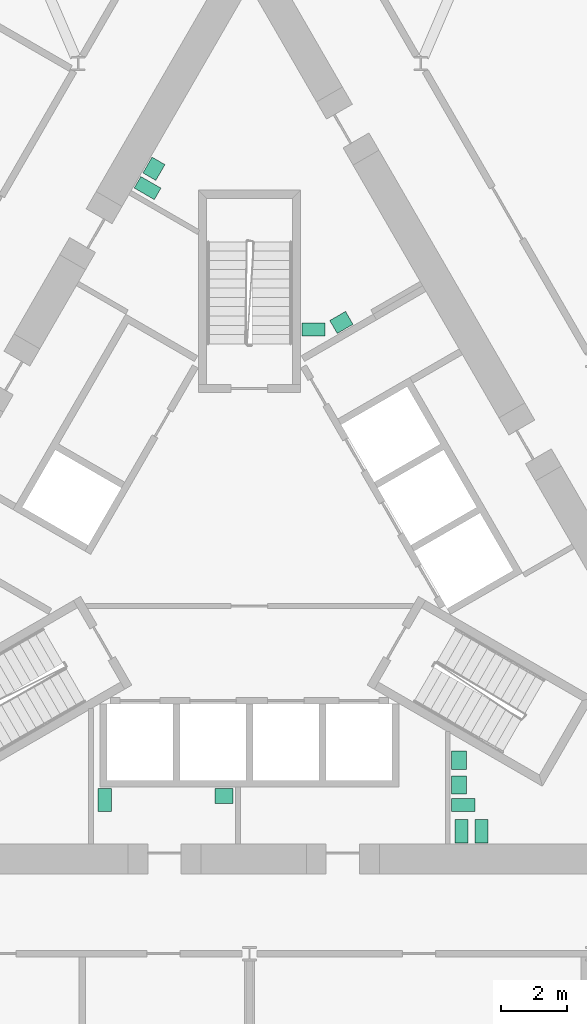
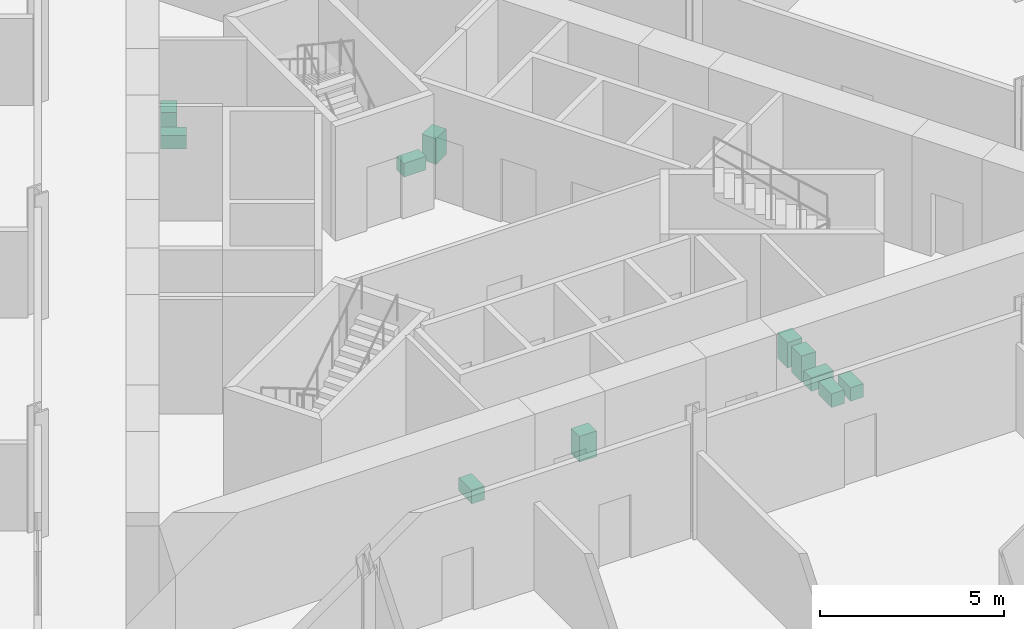
# One storey, part 20 of 21: 11 sanitary terminals.
"""IFC4 building model written with IfcOpenShell, lengths in metres."""

from ifc_helpers import new_model, si_unit, direction, frame, origin, origin_2d, place, context, subcontext, project, spatial, rectangle, extrude, material, type_object, element, save


model = new_model("IFC4")

# Units and contexts
model_context = context("Model", 3, precision=1e-05, world=origin(), true_north=direction((0.0, 1.0)))
body_context = subcontext(model_context, "Body", "Model", "MODEL_VIEW")
ifc_project = project(units=[si_unit("LENGTHUNIT", "METRE"), si_unit("AREAUNIT", "SQUARE_METRE"), si_unit("VOLUMEUNIT", "CUBIC_METRE"), si_unit("PLANEANGLEUNIT", "RADIAN"), si_unit("MASSUNIT", "GRAM", prefix="KILO")], contexts=[model_context])

# Site, building, storey
site_placement = place(None, origin())
site = spatial("IfcSite", under=ifc_project, at=site_placement, CompositionType="ELEMENT")
building_placement = place(site_placement, origin())
building = spatial("IfcBuilding", under=site, at=building_placement, Name="Cormorant Prow Tower", CompositionType="ELEMENT")
storey_placement = place(building_placement, frame((0.0, 0.0, 129.0)))
storey = spatial("IfcBuildingStorey", under=building, at=storey_placement, Name="L27", CompositionType="ELEMENT", Elevation=129.0)

# Sanitary terminals
ifc_material_1 = material(Name="Vitreous china")
sanitary_terminal_type_1 = type_object("IfcSanitaryTerminalType", Name="Wash basin 550x450", PredefinedType="WASHHANDBASIN", material=ifc_material_1)
for number, where, z_axis, x_axis, name in (
    (1, (6.31640625, -6.845947265625, 0.0), (0.0, 0.0, 1.0), (0.0, -1.0, 0.0), "Wash basin"),
    (2, (6.31640625, -6.095947265625, 0.0), (0.0, 0.0, 1.0), (0.0, -1.0, 0.0), "Wash basin"),
    (3, (2.7705078125, 7.101806640625, 0.0), (0.0, 0.0, 1.0), (0.866034130299, 0.499984884929, 0.0), "Wash basin"),
    (4, (-2.880126953125, 11.73388671875, 0.0), (0.0, 0.0, 1.0), (-0.5, -0.866025403784, 0.0), "Wash basin"),
    (5, (-0.766357421875, -7.1708984375, 0.0), (0.0, 0.0, 1.0), (-1.0, 0.0, 0.0), "Wash basin"),
):
    element("IfcSanitaryTerminal", number, at=place(storey_placement, frame(where, z_axis=z_axis, x_axis=x_axis)), inside=storey, type_object=sanitary_terminal_type_1, Name=name, PredefinedType="WASHHANDBASIN", context=body_context, shape_type="SweptSolid", body=[
        extrude(rectangle(XDim=0.550048828125, YDim=0.449951171875, at=origin_2d()), origin(), (0.0, 0.0, 1.0), 0.85009765625),
    ])
ifc_material_2 = material(Name="Vitreous china")
sanitary_terminal_type_2 = type_object("IfcSanitaryTerminalType", Name="Water closet 400x700", PredefinedType="WCSEAT", material=ifc_material_2)
for number, where, z_axis, x_axis, name in (
    (6, (6.3916015625, -8.236328125, 0.0), (0.0, 0.0, 1.0), (1.0, 0.0, 0.0), "Water closet"),
    (7, (6.44140625, -7.446044921875, 0.0), (0.0, 0.0, 1.0), (0.0, -1.0, 0.0), "Water closet"),
    (8, (6.991455078125, -8.236328125, 0.0), (0.0, 0.0, 1.0), (1.0, 0.0, 0.0), "Water closet"),
    (9, (1.93408203125, 6.88671875, 0.0), (0.0, 0.0, 1.0), (0.0, -1.0, 0.0), "Water closet"),
    (10, (-3.072021484375, 11.15185546875, 0.0), (0.0, 0.0, 1.0), (-0.5, -0.866025403784, 0.0), "Water closet"),
    (11, (-4.3662109375, -7.2958984375, 0.0), (0.0, 0.0, 1.0), (-1.0, 0.0, 0.0), "Water closet"),
):
    element("IfcSanitaryTerminal", number, at=place(storey_placement, frame(where, z_axis=z_axis, x_axis=x_axis)), inside=storey, type_object=sanitary_terminal_type_2, Name=name, PredefinedType="WCSEAT", context=body_context, shape_type="SweptSolid", body=[
        extrude(rectangle(XDim=0.39990234375, YDim=0.699951171875, at=origin_2d()), origin(), (0.0, 0.0, 1.0), 0.449951171875),
    ])

save(model, "model.ifc")
